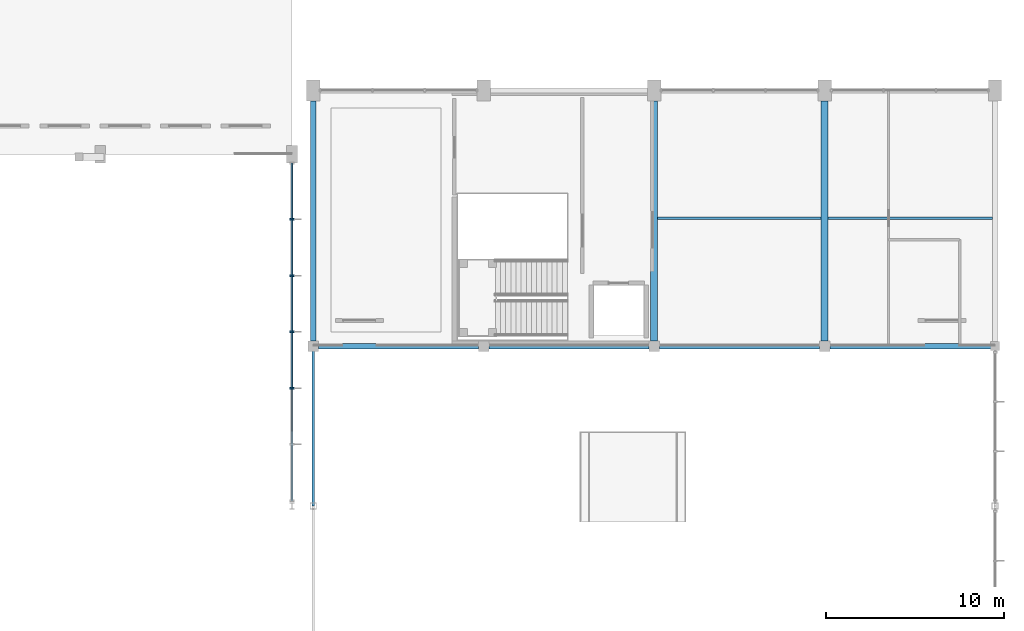
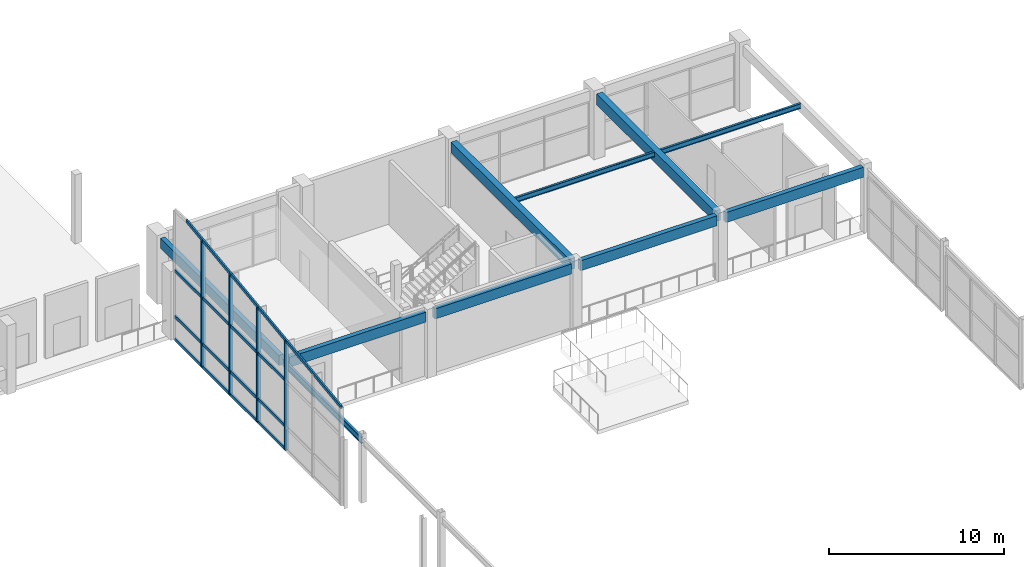
# One storey, part 33 of 74: 17 members, 10 beams, 1 element without a shape of its own.
"""IFC4 building model written with IfcOpenShell, lengths in metres."""

from ifc_helpers import new_model, si_unit, direction, frame, origin, origin_2d, place, context, subcontext, project, spatial, rectangle, i_section, extrude, material, material_profile, profile_set, type_object, element, aggregate, save


model = new_model("IFC4")

# Units and contexts
model_context = context("Model", 3, precision=1e-05, world=origin(), true_north=direction((0.0, 1.0)))
body_context = subcontext(model_context, "Body", "Model", "MODEL_VIEW")
ifc_project = project(units=[si_unit("LENGTHUNIT", "METRE"), si_unit("AREAUNIT", "SQUARE_METRE"), si_unit("VOLUMEUNIT", "CUBIC_METRE"), si_unit("PLANEANGLEUNIT", "RADIAN"), si_unit("MASSUNIT", "GRAM", prefix="KILO")], contexts=[model_context])

# Site, building, storey
site_placement = place(None, origin())
site = spatial("IfcSite", under=ifc_project, at=site_placement, CompositionType="ELEMENT")
building_placement = place(site_placement, origin())
building = spatial("IfcBuilding", under=site, at=building_placement, Name="Suirenkawa Promenade Aquatics Centre", CompositionType="ELEMENT")
storey_placement = place(building_placement, frame((0.0, 0.0, 4.800048828125)))
storey = spatial("IfcBuildingStorey", under=building, at=storey_placement, Name="L01", CompositionType="ELEMENT", Elevation=4.800048828125)

# Beams
ifc_material_1 = material(Name="Steel IS 2062 E350 (Grade 350)", Category="steel")
ifc_material_profile_1 = material_profile(ifc_material_1, i_section(OverallWidth=0.139892578125, OverallDepth=0.35009765625, WebThickness=0.008056640625, FlangeThickness=0.013916015625, at=origin_2d()), Name="ISMB 350", Category="steel")
ifc_profile_set_1 = profile_set([ifc_material_profile_1], Name="Steel IS 2062 E350 (Grade 350)")
beam_type_1 = type_object("IfcBeamType", Name="BT-JOIST-ISMB350", PredefinedType="JOIST", material=ifc_profile_set_1)
beam_1_placement = place(storey_placement, frame((175.39404296875, 93.60009765625, 4.373046875), z_axis=(1.0, 0.0, 0.0), x_axis=(0.0, 1.0, 0.0)))
element("IfcBeam", 1, at=beam_1_placement, inside=storey, type_object=beam_type_1, Name="Secondary floor joist JS-03 BM-1419", PredefinedType="JOIST", context=body_context, shape_type="SweptSolid", body=[
    extrude(i_section(OverallWidth=0.139892578125, OverallDepth=0.35009765625, WebThickness=0.008056640625, FlangeThickness=0.013916015625, at=origin_2d()), origin(), (0.0, 0.0, 1.0), 9.2119140625),
])
beam_2_placement = place(storey_placement, frame((184.993896484375, 93.60009765625, 4.373046875), z_axis=(1.0, 0.0, 0.0), x_axis=(0.0, 1.0, 0.0)))
element("IfcBeam", 2, at=beam_2_placement, inside=storey, type_object=beam_type_1, Name="Secondary floor joist JS-03 BM-1420", PredefinedType="JOIST", context=body_context, shape_type="SweptSolid", body=[
    extrude(i_section(OverallWidth=0.139892578125, OverallDepth=0.35009765625, WebThickness=0.008056640625, FlangeThickness=0.013916015625, at=origin_2d()), origin(), (0.0, 0.0, 1.0), 9.26220703125),
])
ifc_material_2 = material(Name="Concrete M40", Category="concrete")
ifc_material_profile_2 = material_profile(ifc_material_2, rectangle(XDim=0.39990234375, YDim=0.75, at=origin_2d()), Name="RC BM 400x750", Category="concrete")
ifc_profile_set_2 = profile_set([ifc_material_profile_2], Name="Concrete M40")
beam_type_2 = type_object("IfcBeamType", Name="BT-RC-400x750", PredefinedType="BEAM", material=ifc_profile_set_2)
for number, where, z_axis, x_axis, name in (
    (3, (175.199951171875, 86.694091796875, 4.175048828125), (0.0, 1.0, 0.0), (-1.0, 0.0, 0.0), "Floor beam BM-05 BM-1416"),
    (4, (184.800048828125, 86.694091796875, 4.175048828125), (0.0, 1.0, 0.0), (-1.0, 0.0, 0.0), "Floor beam BM-05 BM-1417"),
):
    element("IfcBeam", number, at=place(storey_placement, frame(where, z_axis=z_axis, x_axis=x_axis)), inside=storey, type_object=beam_type_2, Name=name, PredefinedType="BEAM", context=body_context, shape_type="SweptSolid", body=[
        extrude(rectangle(XDim=0.39990234375, YDim=0.75, at=origin_2d()), origin(), (0.0, 0.0, 1.0), 13.511962890625),
    ])
ifc_material_profile_3 = material_profile(ifc_material_2, rectangle(XDim=0.300048828125, YDim=0.699951171875, at=origin_2d()), Name="RC SPANDREL 300x700", Category="concrete")
ifc_profile_set_3 = profile_set([ifc_material_profile_3], Name="Concrete M40")
beam_type_3 = type_object("IfcBeamType", Name="BT-SPANDREL-300x700", PredefinedType="SPANDREL", material=ifc_profile_set_3)
for number, where, z_axis, x_axis, name in (
    (5, (156.2939453125, 86.39990234375, 4.199951171875), (1.0, 0.0, 0.0), (0.0, 1.0, 0.0), "Floor beam SP-01 BM-1407"),
    (6, (165.89404296875, 86.39990234375, 4.199951171875), (1.0, 0.0, 0.0), (0.0, 1.0, 0.0), "Floor beam SP-01 BM-1408"),
):
    element("IfcBeam", number, at=place(storey_placement, frame(where, z_axis=z_axis, x_axis=x_axis)), inside=storey, type_object=beam_type_3, Name=name, PredefinedType="SPANDREL", context=body_context, shape_type="SweptSolid", body=[
        extrude(rectangle(XDim=0.300048828125, YDim=0.699951171875, at=origin_2d()), origin(), (0.0, 0.0, 1.0), 9.011962890625),
    ])
beam_3_placement = place(storey_placement, frame((175.493896484375, 86.39990234375, 4.199951171875), z_axis=(1.0, 0.0, 0.0), x_axis=(0.0, 1.0, 0.0)))
element("IfcBeam", 7, at=beam_3_placement, inside=storey, type_object=beam_type_3, Name="Floor beam SP-01 BM-1409", PredefinedType="SPANDREL", context=body_context, shape_type="SweptSolid", body=[
    extrude(rectangle(XDim=0.300048828125, YDim=0.699951171875, at=origin_2d()), origin(), (0.0, 0.0, 1.0), 9.01220703125),
])
beam_4_placement = place(storey_placement, frame((185.093994140625, 86.39990234375, 4.199951171875), z_axis=(1.0, 0.0, 0.0), x_axis=(0.0, 1.0, 0.0)))
element("IfcBeam", 8, at=beam_4_placement, inside=storey, type_object=beam_type_3, Name="Floor beam SP-01 BM-1410", PredefinedType="SPANDREL", context=body_context, shape_type="SweptSolid", body=[
    extrude(rectangle(XDim=0.300048828125, YDim=0.699951171875, at=origin_2d()), origin(), (0.0, 0.0, 1.0), 9.06201171875),
])
beam_5_placement = place(storey_placement, frame((156.0, 86.694091796875, 4.199951171875), z_axis=(0.0, 1.0, 0.0), x_axis=(-1.0, 0.0, 0.0)))
element("IfcBeam", 9, at=beam_5_placement, inside=storey, type_object=beam_type_3, Name="Floor beam SP-01 BM-1415", PredefinedType="SPANDREL", context=body_context, shape_type="SweptSolid", body=[
    extrude(rectangle(XDim=0.300048828125, YDim=0.699951171875, at=origin_2d()), origin(), (0.0, 0.0, 1.0), 13.511962890625),
])
ifc_material_profile_4 = material_profile(ifc_material_1, i_section(OverallWidth=0.14990234375, OverallDepth=0.449951171875, WebThickness=0.009033203125, FlangeThickness=0.01708984375, at=origin_2d()), Name="ISMB 450", Category="steel")
ifc_profile_set_4 = profile_set([ifc_material_profile_4], Name="Steel IS 2062 E350 (Grade 350)")
beam_type_4 = type_object("IfcBeamType", Name="BT-STL-ISMB450", PredefinedType="BEAM", material=ifc_profile_set_4)
beam_6_placement = place(storey_placement, frame((156.0, 77.39990234375, 4.224853515625), z_axis=(0.0, 1.0, 0.0), x_axis=(-1.0, 0.0, 0.0)))
element("IfcBeam", 10, at=beam_6_placement, inside=storey, type_object=beam_type_4, Name="Diving hall wind girt BM-08 BM-1352", PredefinedType="BEAM", context=body_context, shape_type="SweptSolid", body=[
    extrude(i_section(OverallWidth=0.14990234375, OverallDepth=0.449951171875, WebThickness=0.009033203125, FlangeThickness=0.01708984375, at=origin_2d()), origin(), (0.0, 0.0, 1.0), 9.0),
])

# Curtain wall, members
ifc_material_3 = material(Name="Anodised aluminium 6063-T6", Category="aluminium")
curtain_wall_type = type_object("IfcCurtainWallType", Name="CWAT-GABLEV1-04", PredefinedType="NOTDEFINED", material=ifc_material_3)
curtain_wall_placement = place(storey_placement, origin())
curtain_wall = element("IfcCurtainWall", 11, at=curtain_wall_placement, inside=storey, type_object=curtain_wall_type, Name="Curtain wall CWA-04 CW-008", PredefinedType="NOTDEFINED")
ifc_material_profile_5 = material_profile(ifc_material_3, rectangle(XDim=0.110107421875, YDim=0.260009765625, at=origin_2d()), Name="ALU MULL 110x260", Category="aluminium")
ifc_profile_set_5 = profile_set([ifc_material_profile_5], Name="Anodised aluminium 6063-T6")
member_type_1 = type_object("IfcMemberType", Name="CWM-260x110", PredefinedType="MULLION", material=ifc_profile_set_5)
member_1_placement = place(storey_placement, frame((154.800048828125, 93.533935546875, 0.0), z_axis=(0.0, 0.0, 1.0), x_axis=(0.0, -1.0, 0.0)))
member_1 = element("IfcMember", 12, at=member_1_placement, type_object=member_type_1, Name="Mullion ML-04 CWM-00161", PredefinedType="MULLION", context=body_context, shape_type="SweptSolid", body=[
    extrude(rectangle(XDim=0.110107421875, YDim=0.260009765625, at=origin_2d()), origin(), (0.0, 0.0, 1.0), 8.809326171875),
])
member_2_placement = place(storey_placement, frame((154.800048828125, 90.366943359375, 0.0), z_axis=(0.0, 0.0, 1.0), x_axis=(0.0, -1.0, 0.0)))
member_2 = element("IfcMember", 13, at=member_2_placement, type_object=member_type_1, Name="Mullion ML-04 CWM-00162", PredefinedType="MULLION", context=body_context, shape_type="SweptSolid", body=[
    extrude(rectangle(XDim=0.110107421875, YDim=0.260009765625, at=origin_2d()), origin(), (0.0, 0.0, 1.0), 8.4013671875),
])
member_3_placement = place(storey_placement, frame((154.800048828125, 87.199951171875, 0.0), z_axis=(0.0, 0.0, 1.0), x_axis=(0.0, -1.0, 0.0)))
member_3 = element("IfcMember", 14, at=member_3_placement, type_object=member_type_1, Name="Mullion ML-04 CWM-00163", PredefinedType="MULLION", context=body_context, shape_type="SweptSolid", body=[
    extrude(rectangle(XDim=0.110107421875, YDim=0.260009765625, at=origin_2d()), origin(), (0.0, 0.0, 1.0), 7.9931640625),
])
member_4_placement = place(storey_placement, frame((154.800048828125, 84.032958984375, 0.0), z_axis=(0.0, 0.0, 1.0), x_axis=(0.0, -1.0, 0.0)))
member_4 = element("IfcMember", 15, at=member_4_placement, type_object=member_type_1, Name="Mullion ML-04 CWM-00164", PredefinedType="MULLION", context=body_context, shape_type="SweptSolid", body=[
    extrude(rectangle(XDim=0.110107421875, YDim=0.260009765625, at=origin_2d()), origin(), (0.0, 0.0, 1.0), 7.5849609375),
])
ifc_material_profile_6 = material_profile(ifc_material_3, rectangle(XDim=0.110107421875, YDim=0.2099609375, at=origin_2d()), Name="ALU TRAN 110x210", Category="aluminium")
ifc_profile_set_6 = profile_set([ifc_material_profile_6], Name="Anodised aluminium 6063-T6")
member_type_2 = type_object("IfcMemberType", Name="CWT-210x110", PredefinedType="USERDEFINED", material=ifc_profile_set_6)
member_5_placement = place(storey_placement, frame((154.800048828125, 96.700927734375, 0.0), z_axis=(0.0, -1.0, 0.0), x_axis=(1.0, 0.0, 0.0)))
member_5 = element("IfcMember", 16, at=member_5_placement, type_object=member_type_2, Name="Transom TR-04 CWT-00167", ObjectType="TRANSOM", PredefinedType="USERDEFINED", context=body_context, shape_type="SweptSolid", body=[
    extrude(rectangle(XDim=0.110107421875, YDim=0.2099609375, at=origin_2d()), origin(), (0.0, 0.0, 1.0), 3.1669921875),
])
member_6_placement = place(storey_placement, frame((154.800048828125, 93.533935546875, 0.0), z_axis=(0.0, -1.0, 0.0), x_axis=(1.0, 0.0, 0.0)))
member_6 = element("IfcMember", 17, at=member_6_placement, type_object=member_type_2, Name="Transom TR-04 CWT-00168", ObjectType="TRANSOM", PredefinedType="USERDEFINED", context=body_context, shape_type="SweptSolid", body=[
    extrude(rectangle(XDim=0.110107421875, YDim=0.2099609375, at=origin_2d()), origin(), (0.0, 0.0, 1.0), 3.1669921875),
])
member_7_placement = place(storey_placement, frame((154.800048828125, 90.366943359375, 0.0), z_axis=(0.0, -1.0, 0.0), x_axis=(1.0, 0.0, 0.0)))
member_7 = element("IfcMember", 18, at=member_7_placement, type_object=member_type_2, Name="Transom TR-04 CWT-00169", ObjectType="TRANSOM", PredefinedType="USERDEFINED", context=body_context, shape_type="SweptSolid", body=[
    extrude(rectangle(XDim=0.110107421875, YDim=0.2099609375, at=origin_2d()), origin(), (0.0, 0.0, 1.0), 3.1669921875),
])
member_8_placement = place(storey_placement, frame((154.800048828125, 87.199951171875, 0.0), z_axis=(0.0, -1.0, 0.0), x_axis=(1.0, 0.0, 0.0)))
member_8 = element("IfcMember", 19, at=member_8_placement, type_object=member_type_2, Name="Transom TR-04 CWT-00170", ObjectType="TRANSOM", PredefinedType="USERDEFINED", context=body_context, shape_type="SweptSolid", body=[
    extrude(rectangle(XDim=0.110107421875, YDim=0.2099609375, at=origin_2d()), origin(), (0.0, 0.0, 1.0), 3.1669921875),
])
member_9_placement = place(storey_placement, frame((154.800048828125, 96.700927734375, 1.599853515625), z_axis=(0.0, -1.0, 0.0), x_axis=(1.0, 0.0, 0.0)))
member_9 = element("IfcMember", 20, at=member_9_placement, type_object=member_type_2, Name="Transom TR-04 CWT-00173", ObjectType="TRANSOM", PredefinedType="USERDEFINED", context=body_context, shape_type="SweptSolid", body=[
    extrude(rectangle(XDim=0.110107421875, YDim=0.2099609375, at=origin_2d()), origin(), (0.0, 0.0, 1.0), 3.1669921875),
])
member_10_placement = place(storey_placement, frame((154.800048828125, 93.533935546875, 1.599853515625), z_axis=(0.0, -1.0, 0.0), x_axis=(1.0, 0.0, 0.0)))
member_10 = element("IfcMember", 21, at=member_10_placement, type_object=member_type_2, Name="Transom TR-04 CWT-00174", ObjectType="TRANSOM", PredefinedType="USERDEFINED", context=body_context, shape_type="SweptSolid", body=[
    extrude(rectangle(XDim=0.110107421875, YDim=0.2099609375, at=origin_2d()), origin(), (0.0, 0.0, 1.0), 3.1669921875),
])
member_11_placement = place(storey_placement, frame((154.800048828125, 90.366943359375, 1.599853515625), z_axis=(0.0, -1.0, 0.0), x_axis=(1.0, 0.0, 0.0)))
member_11 = element("IfcMember", 22, at=member_11_placement, type_object=member_type_2, Name="Transom TR-04 CWT-00175", ObjectType="TRANSOM", PredefinedType="USERDEFINED", context=body_context, shape_type="SweptSolid", body=[
    extrude(rectangle(XDim=0.110107421875, YDim=0.2099609375, at=origin_2d()), origin(), (0.0, 0.0, 1.0), 3.1669921875),
])
member_12_placement = place(storey_placement, frame((154.800048828125, 87.199951171875, 1.599853515625), z_axis=(0.0, -1.0, 0.0), x_axis=(1.0, 0.0, 0.0)))
member_12 = element("IfcMember", 23, at=member_12_placement, type_object=member_type_2, Name="Transom TR-04 CWT-00176", ObjectType="TRANSOM", PredefinedType="USERDEFINED", context=body_context, shape_type="SweptSolid", body=[
    extrude(rectangle(XDim=0.110107421875, YDim=0.2099609375, at=origin_2d()), origin(), (0.0, 0.0, 1.0), 3.1669921875),
])
member_13_placement = place(storey_placement, frame((154.800048828125, 96.700927734375, 4.800048828125), z_axis=(0.0, -1.0, 0.0), x_axis=(1.0, 0.0, 0.0)))
member_13 = element("IfcMember", 24, at=member_13_placement, type_object=member_type_2, Name="Transom TR-04 CWT-00179", ObjectType="TRANSOM", PredefinedType="USERDEFINED", context=body_context, shape_type="SweptSolid", body=[
    extrude(rectangle(XDim=0.110107421875, YDim=0.2099609375, at=origin_2d()), origin(), (0.0, 0.0, 1.0), 3.1669921875),
])
member_14_placement = place(storey_placement, frame((154.800048828125, 93.533935546875, 4.800048828125), z_axis=(0.0, -1.0, 0.0), x_axis=(1.0, 0.0, 0.0)))
member_14 = element("IfcMember", 25, at=member_14_placement, type_object=member_type_2, Name="Transom TR-04 CWT-00180", ObjectType="TRANSOM", PredefinedType="USERDEFINED", context=body_context, shape_type="SweptSolid", body=[
    extrude(rectangle(XDim=0.110107421875, YDim=0.2099609375, at=origin_2d()), origin(), (0.0, 0.0, 1.0), 3.1669921875),
])
member_15_placement = place(storey_placement, frame((154.800048828125, 90.366943359375, 4.800048828125), z_axis=(0.0, -1.0, 0.0), x_axis=(1.0, 0.0, 0.0)))
member_15 = element("IfcMember", 26, at=member_15_placement, type_object=member_type_2, Name="Transom TR-04 CWT-00181", ObjectType="TRANSOM", PredefinedType="USERDEFINED", context=body_context, shape_type="SweptSolid", body=[
    extrude(rectangle(XDim=0.110107421875, YDim=0.2099609375, at=origin_2d()), origin(), (0.0, 0.0, 1.0), 3.1669921875),
])
member_16_placement = place(storey_placement, frame((154.800048828125, 87.199951171875, 4.800048828125), z_axis=(0.0, -1.0, 0.0), x_axis=(1.0, 0.0, 0.0)))
member_16 = element("IfcMember", 27, at=member_16_placement, type_object=member_type_2, Name="Transom TR-04 CWT-00182", ObjectType="TRANSOM", PredefinedType="USERDEFINED", context=body_context, shape_type="SweptSolid", body=[
    extrude(rectangle(XDim=0.110107421875, YDim=0.2099609375, at=origin_2d()), origin(), (0.0, 0.0, 1.0), 3.1669921875),
])
member_17_placement = place(storey_placement, frame((154.800048828125, 95.39990234375, 9.050048828125), z_axis=(0.0, -0.991795610872, -0.127833744584), x_axis=(1.0, 0.0, 0.0)))
member_17 = element("IfcMember", 28, at=member_17_placement, type_object=member_type_2, Name="Roofline transom TR-04 CWT-00186", ObjectType="TRANSOM", PredefinedType="USERDEFINED", context=body_context, shape_type="SweptSolid", body=[
    extrude(rectangle(XDim=0.110107421875, YDim=0.2099609375, at=origin_2d()), origin(), (0.0, 0.0, 1.0), 17.847412109375),
])
aggregate(curtain_wall, [member_1, member_2, member_3, member_4, member_5, member_6, member_7, member_8, member_9, member_10, member_11, member_12, member_13, member_14, member_15, member_16, member_17])

save(model, "model.ifc")
